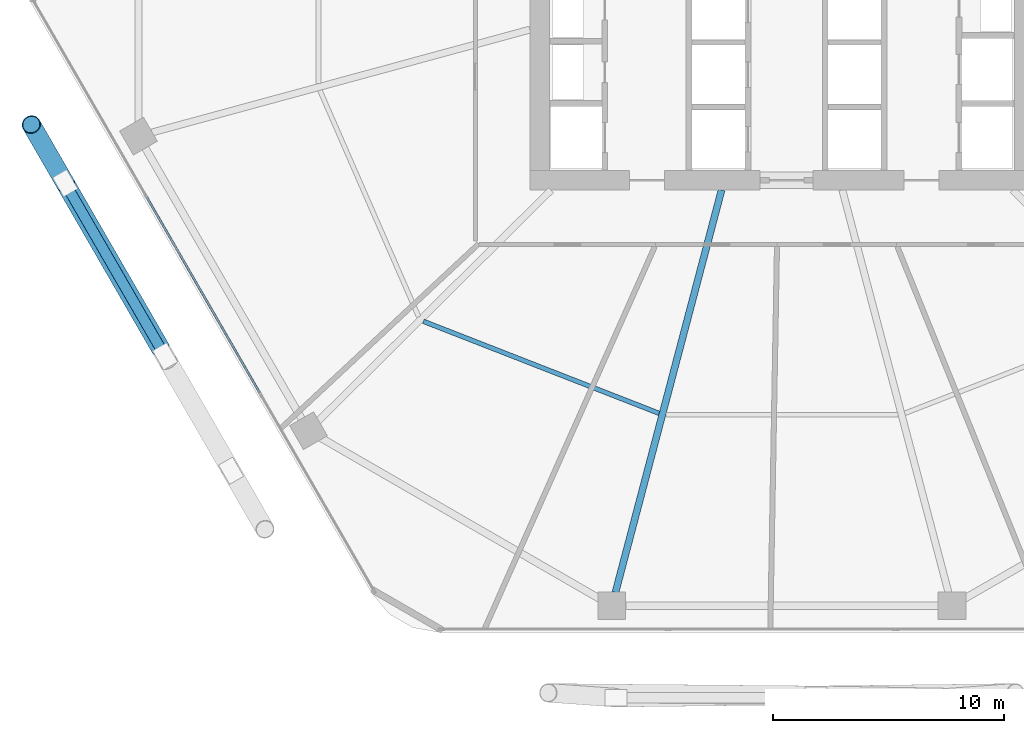
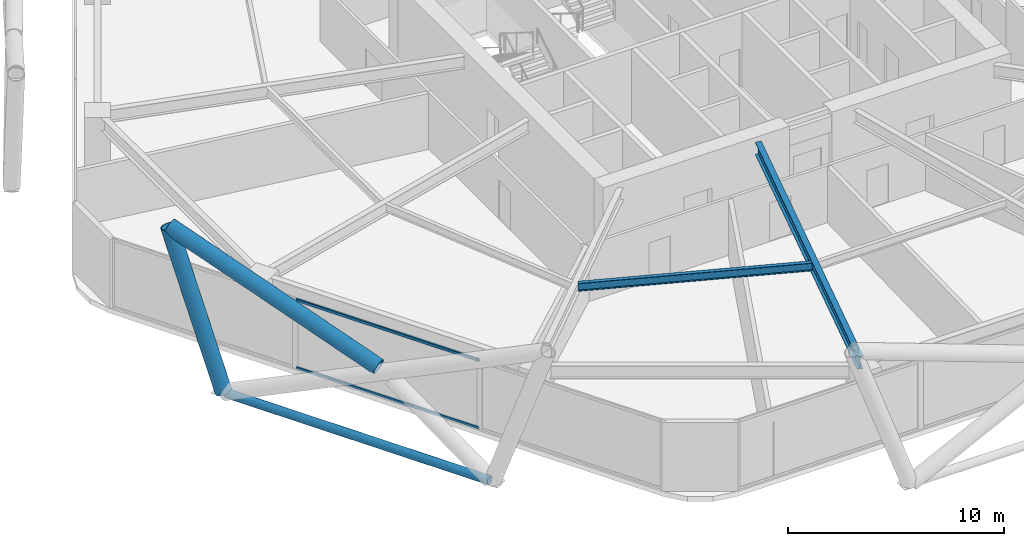
# One storey, part 4 of 28: 5 members, 2 beams, 1 element without a shape of its own.
"""IFC4 building model written with IfcOpenShell, lengths in metres."""

from ifc_helpers import new_model, si_unit, direction, frame, origin, origin_2d, place, context, subcontext, project, spatial, hollow_rectangle, hollow_circle, i_section, extrude, material, material_profile, profile_set, type_object, element, aggregate, save


model = new_model("IFC4")

# Units and contexts
model_context = context("Model", 3, precision=1e-05, world=origin(), true_north=direction((0.0, 1.0)))
body_context = subcontext(model_context, "Body", "Model", "MODEL_VIEW")
ifc_project = project(units=[si_unit("LENGTHUNIT", "METRE"), si_unit("AREAUNIT", "SQUARE_METRE"), si_unit("VOLUMEUNIT", "CUBIC_METRE"), si_unit("PLANEANGLEUNIT", "RADIAN"), si_unit("MASSUNIT", "GRAM", prefix="KILO")], contexts=[model_context])

# Site, building, storey
site_placement = place(None, origin())
site = spatial("IfcSite", under=ifc_project, at=site_placement, CompositionType="ELEMENT")
building_placement = place(site_placement, origin())
building = spatial("IfcBuilding", under=site, at=building_placement, Name="Zuhravey Tower", CompositionType="ELEMENT")
storey_placement = place(building_placement, frame((0.0, 0.0, 66.60009765625)))
storey = spatial("IfcBuildingStorey", under=building, at=storey_placement, Name="L16", CompositionType="ELEMENT", Elevation=66.60009765625)

# Curtain wall, members
ifc_material_1 = material(Name="Thermally broken anodised aluminium", Category="aluminium")
curtain_wall_type = type_object("IfcCurtainWallType", Name="School Low-E Unitised Curtain Wall CW1", PredefinedType="NOTDEFINED", material=ifc_material_1)
curtain_wall_placement = place(storey_placement, origin())
curtain_wall = element("IfcCurtainWall", 1, at=curtain_wall_placement, inside=storey, type_object=curtain_wall_type, Name="L16 CW1 CW-L16-F4-1", PredefinedType="NOTDEFINED")
ifc_material_2 = material(Name="Anodised aluminium", Category="aluminium")
ifc_material_profile_1 = material_profile(ifc_material_2, hollow_rectangle(XDim=0.090087890625, YDim=0.14990234375, WallThickness=0.0048828125, at=origin_2d()), Name="ALU-RHS-90x150x5")
ifc_profile_set_1 = profile_set([ifc_material_profile_1], Name="Anodised aluminium")
member_type_1 = type_object("IfcMemberType", Name="Curtain-Wall Transom 90x150", PredefinedType="USERDEFINED", material=ifc_profile_set_1)
member_1_placement = place(storey_placement, frame((13.365234375, 13.287353515625, 0.044921875), z_axis=(-0.499990498062, 0.866030889661, 0.0), x_axis=(-0.866030889661, -0.499990498062, 0.0)))
member_1 = element("IfcMember", 2, at=member_1_placement, type_object=member_type_1, Name="CW1 transom 2.1", ObjectType="TRANSOM", PredefinedType="USERDEFINED", context=body_context, shape_type="SweptSolid", body=[
    extrude(hollow_rectangle(XDim=0.090087890625, YDim=0.14990234375, WallThickness=0.0048828125, at=origin_2d()), origin(), (0.0, 0.0, 1.0), 9.776611328125),
])
member_2_placement = place(storey_placement, frame((13.365234375, 13.287353515625, 3.875), z_axis=(-0.499990498062, 0.866030889661, 0.0), x_axis=(-0.866030889661, -0.499990498062, 0.0)))
member_2 = element("IfcMember", 3, at=member_2_placement, type_object=member_type_1, Name="CW1 transom 2.2", ObjectType="TRANSOM", PredefinedType="USERDEFINED", context=body_context, shape_type="SweptSolid", body=[
    extrude(hollow_rectangle(XDim=0.090087890625, YDim=0.14990234375, WallThickness=0.0048828125, at=origin_2d()), origin(), (0.0, 0.0, 1.0), 9.776611328125),
])
aggregate(curtain_wall, [member_1, member_2])

# Members
ifc_material_3 = material(Name="Steel SM355", Category="steel")
ifc_material_profile_2 = material_profile(ifc_material_3, hollow_circle(Radius=0.228515625, WallThickness=0.02197265625, at=origin_2d()), Name="CHS-457.2x22")
ifc_profile_set_2 = profile_set([ifc_material_profile_2], Name="Steel SM355")
member_type_2 = type_object("IfcMemberType", Name="Exoskeleton Ring Tie CHS457x22", PredefinedType="CHORD", material=ifc_profile_set_2)
member_3_placement = place(storey_placement, frame((5.004150390625, 22.24951171875, -0.494140625), z_axis=(0.499995593262, -0.866027948001, 0.0), x_axis=(0.866027948001, 0.499995593262, 0.0)))
element("IfcMember", 4, at=member_3_placement, inside=storey, type_object=member_type_2, Name="L16 Exoskeleton Face 4 Tie EXR1", PredefinedType="CHORD", context=body_context, shape_type="SweptSolid", body=[
    extrude(hollow_circle(Radius=0.228515625, WallThickness=0.02197265625, at=origin_2d()), origin(), (0.0, 0.0, 1.0), 14.107666015625),
])
ifc_material_4 = material(Name="Steel SM460", Category="steel")
ifc_material_profile_3 = material_profile(ifc_material_4, hollow_circle(Radius=0.406494140625, WallThickness=0.035888671875, at=origin_2d()), Name="CHS-812.8x36")
ifc_profile_set_3 = profile_set([ifc_material_profile_3], Name="Steel SM460")
member_type_3 = type_object("IfcMemberType", Name="Exoskeleton Zone 1 Diagrid CHS813x36", PredefinedType="BRACE", material=ifc_profile_set_3)
member_4_placement = place(storey_placement, frame((4.93017578125, 22.37744140625, -0.47216796875), z_axis=(-0.165307317227, 0.286358046605, 0.943754501984), x_axis=(-0.866053660865, -0.499951054106, 0.0)))
element("IfcMember", 5, at=member_4_placement, inside=storey, type_object=member_type_3, Name="L16 Face 4 Diagrid Brace 1", PredefinedType="BRACE", context=body_context, shape_type="SweptSolid", body=[
    extrude(hollow_circle(Radius=0.406494140625, WallThickness=0.035888671875, at=origin_2d()), origin(), (0.0, 0.0, 1.0), 8.85400390625),
])
member_5_placement = place(storey_placement, frame((9.080322265625, 15.189208984375, 3.8408203125), z_axis=(-0.470168805096, 0.814366925669, 0.340217290992), x_axis=(-0.866028239721, -0.499995087982, 0.0)))
element("IfcMember", 6, at=member_5_placement, inside=storey, type_object=member_type_3, Name="L16 Face 4 Split Diagrid Brace 3B", PredefinedType="BRACE", context=body_context, shape_type="SweptSolid", body=[
    extrude(hollow_circle(Radius=0.406494140625, WallThickness=0.035888671875, at=origin_2d()), origin(), (0.0, 0.0, 1.0), 11.89794921875),
])

# Beams
ifc_material_profile_4 = material_profile(ifc_material_3, i_section(OverallWidth=0.300048828125, OverallDepth=0.699951171875, WebThickness=0.012939453125, FlangeThickness=0.02392578125, at=origin_2d()), Name="H-700x300x13x24")
ifc_profile_set_4 = profile_set([ifc_material_profile_4], Name="Steel SM355")
beam_type_1 = type_object("IfcBeamType", Name="Radial Primary Girder H700x300", PredefinedType="BEAM", material=ifc_profile_set_4)
beam_1_placement = place(storey_placement, frame((33.382080078125, 22.072021484375, 3.56982421875), z_axis=(-0.254989720435, -0.966943763862, 0.0), x_axis=(0.966943763862, -0.254989720435, 0.0)))
element("IfcBeam", 7, at=beam_1_placement, inside=storey, type_object=beam_type_1, Name="L16 RG1 BM-L16-RAD-09", PredefinedType="BEAM", context=body_context, shape_type="SweptSolid", body=[
    extrude(i_section(OverallWidth=0.300048828125, OverallDepth=0.699951171875, WebThickness=0.012939453125, FlangeThickness=0.02392578125, at=origin_2d()), origin(), (0.0, 0.0, 1.0), 18.03369140625),
])
ifc_material_profile_5 = material_profile(ifc_material_3, i_section(OverallWidth=0.199951171875, OverallDepth=0.449951171875, WebThickness=0.009033203125, FlangeThickness=0.013916015625, at=origin_2d()), Name="H-450x200x9x14")
ifc_profile_set_5 = profile_set([ifc_material_profile_5], Name="Steel SM355")
beam_type_2 = type_object("IfcBeamType", Name="Secondary Floor Joist H450x200", PredefinedType="JOIST", material=ifc_profile_set_5)
beam_2_placement = place(storey_placement, frame((20.4599609375, 16.38427734375, 3.69482421875), z_axis=(0.931516535886, -0.363698973562, 0.0), x_axis=(0.363698973562, 0.931516535886, 0.0)))
element("IfcBeam", 8, at=beam_2_placement, inside=storey, type_object=beam_type_2, Name="L16 SJ1 BM-L16-SJ-08-1", PredefinedType="JOIST", context=body_context, shape_type="SweptSolid", body=[
    extrude(i_section(OverallWidth=0.199951171875, OverallDepth=0.449951171875, WebThickness=0.009033203125, FlangeThickness=0.013916015625, at=origin_2d()), origin(), (0.0, 0.0, 1.0), 10.963134765625),
])

save(model, "model.ifc")
